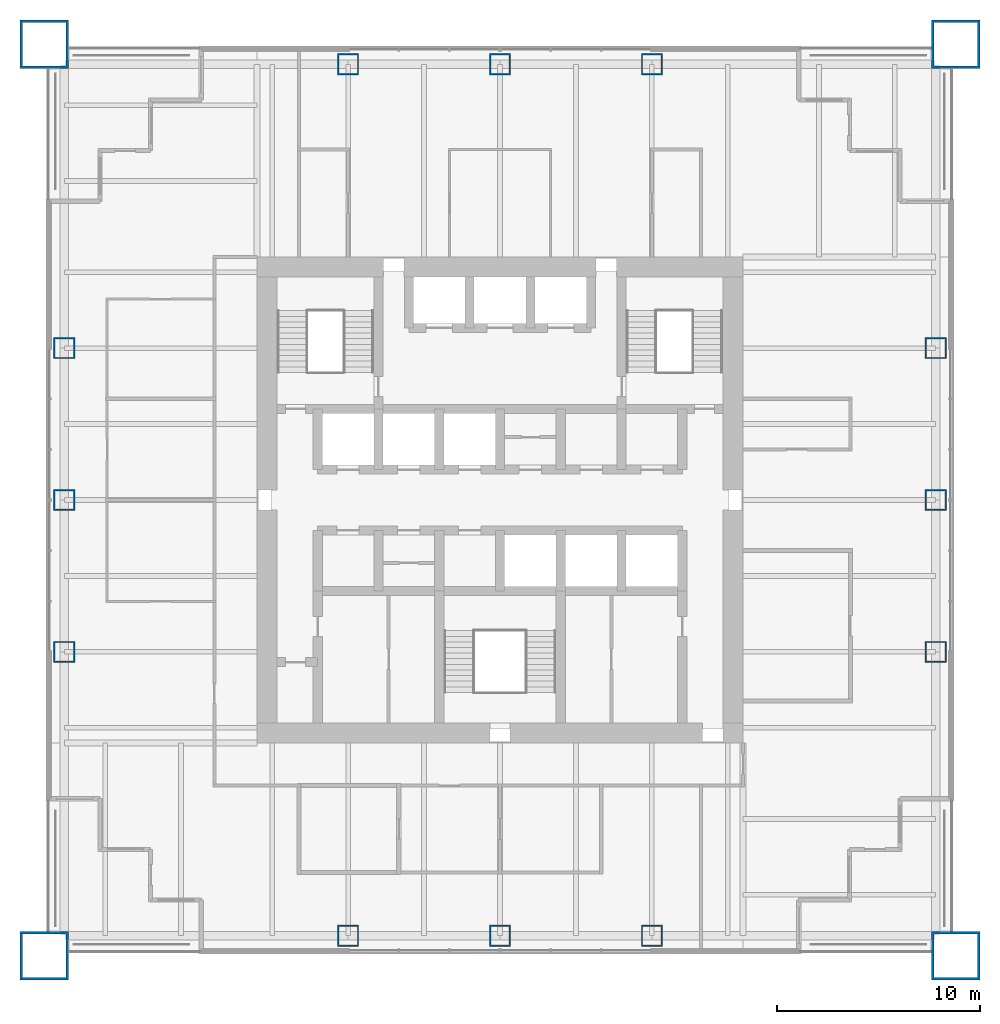
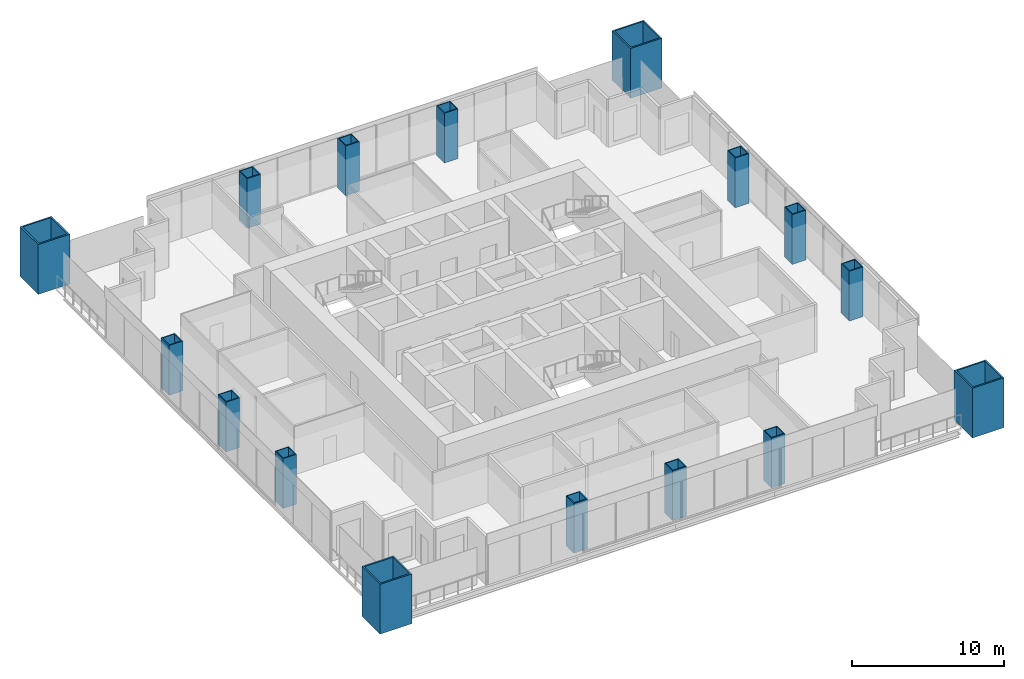
# One storey, part 1 of 13: 16 columns.
"""IFC4 building model written with IfcOpenShell, lengths in metres."""

from ifc_helpers import new_model, si_unit, direction, frame, origin, origin_2d, place, context, subcontext, project, spatial, hollow_rectangle, extrude, material, material_profile, profile_set, type_object, element, save


model = new_model("IFC4")

# Units and contexts
model_context = context("Model", 3, precision=1e-05, world=origin(), true_north=direction((0.0, 1.0)))
body_context = subcontext(model_context, "Body", "Model", "MODEL_VIEW")
ifc_project = project(units=[si_unit("LENGTHUNIT", "METRE"), si_unit("AREAUNIT", "SQUARE_METRE"), si_unit("VOLUMEUNIT", "CUBIC_METRE"), si_unit("PLANEANGLEUNIT", "RADIAN"), si_unit("MASSUNIT", "GRAM", prefix="KILO")], contexts=[model_context])

# Site, building, storey
site_placement = place(None, origin())
site = spatial("IfcSite", under=ifc_project, at=site_placement, CompositionType="ELEMENT")
building_placement = place(site_placement, origin())
building = spatial("IfcBuilding", under=site, at=building_placement, Name="Tarangal Relay Tower", CompositionType="ELEMENT")
storey_placement = place(building_placement, frame((0.0, 0.0, 241.89990234375)))
storey = spatial("IfcBuildingStorey", under=building, at=storey_placement, Name="L52", CompositionType="ELEMENT", Elevation=241.89990234375)

# Columns
ifc_material_1 = material(Name="Steel ASTM A572 Grade 42", Category="steel")
ifc_material_profile_1 = material_profile(ifc_material_1, hollow_rectangle(XDim=2.39990234375, YDim=2.39990234375, WallThickness=0.1201171875, at=origin_2d()), Name="BOX2400X2400X120")
ifc_profile_set_1 = profile_set([ifc_material_profile_1], Name="Steel ASTM A572 Grade 42")
column_type_1 = type_object("IfcColumnType", Name="Mega column BOX2400X2400X120", PredefinedType="COLUMN", material=ifc_profile_set_1)
for number, where, z_axis, x_axis, name in (
    (1, (22.5, 22.5, 0.0), (0.0, 0.0, 1.0), (1.0, 0.0, 0.0), "Mega column MC3 NE L52"),
    (2, (22.5, -22.5, 0.0), (0.0, 0.0, 1.0), (1.0, 0.0, 0.0), "Mega column MC3 SE L52"),
    (3, (-22.5, -22.5, 0.0), (0.0, 0.0, 1.0), (1.0, 0.0, 0.0), "Mega column MC3 SW L52"),
    (4, (-22.5, 22.5, 0.0), (0.0, 0.0, 1.0), (1.0, 0.0, 0.0), "Mega column MC3 NW L52"),
):
    element("IfcColumn", number, at=place(storey_placement, frame(where, z_axis=z_axis, x_axis=x_axis)), inside=storey, type_object=column_type_1, Name=name, PredefinedType="COLUMN", context=body_context, shape_type="SweptSolid", body=[
        extrude(hollow_rectangle(XDim=2.39990234375, YDim=2.39990234375, WallThickness=0.1201171875, at=origin_2d()), origin(), (0.0, 0.0, 1.0), 4.0),
    ])
ifc_material_2 = material(Name="Steel ASTM A572 Grade 50", Category="steel")
ifc_material_profile_2 = material_profile(ifc_material_2, hollow_rectangle(XDim=1.050048828125, YDim=1.050048828125, WallThickness=0.070068359375, at=origin_2d()), Name="BOX1050X1050X70")
ifc_profile_set_2 = profile_set([ifc_material_profile_2], Name="Steel ASTM A572 Grade 50")
column_type_2 = type_object("IfcColumnType", Name="Perimeter column BOX1050X1050X70", PredefinedType="COLUMN", material=ifc_profile_set_2)
for number, where, z_axis, x_axis, name in (
    (5, (-7.5, 21.514892578125, 0.0), (0.0, 0.0, 1.0), (1.0, 0.0, 0.0), "Perimeter column PC4 N L52"),
    (6, (0.0, 21.514892578125, 0.0), (0.0, 0.0, 1.0), (1.0, 0.0, 0.0), "Perimeter column PC4 N L52"),
    (7, (7.5, 21.514892578125, 0.0), (0.0, 0.0, 1.0), (1.0, 0.0, 0.0), "Perimeter column PC4 N L52"),
    (8, (21.514892578125, 7.5, 0.0), (0.0, 0.0, 1.0), (1.0, 0.0, 0.0), "Perimeter column PC4 E L52"),
    (9, (21.514892578125, 0.0, 0.0), (0.0, 0.0, 1.0), (1.0, 0.0, 0.0), "Perimeter column PC4 E L52"),
    (10, (21.514892578125, -7.5, 0.0), (0.0, 0.0, 1.0), (1.0, 0.0, 0.0), "Perimeter column PC4 E L52"),
    (11, (7.5, -21.514892578125, 0.0), (0.0, 0.0, 1.0), (1.0, 0.0, 0.0), "Perimeter column PC4 S L52"),
    (12, (0.0, -21.514892578125, 0.0), (0.0, 0.0, 1.0), (1.0, 0.0, 0.0), "Perimeter column PC4 S L52"),
    (13, (-7.5, -21.514892578125, 0.0), (0.0, 0.0, 1.0), (1.0, 0.0, 0.0), "Perimeter column PC4 S L52"),
    (14, (-21.514892578125, -7.5, 0.0), (0.0, 0.0, 1.0), (1.0, 0.0, 0.0), "Perimeter column PC4 W L52"),
    (15, (-21.514892578125, 0.0, 0.0), (0.0, 0.0, 1.0), (1.0, 0.0, 0.0), "Perimeter column PC4 W L52"),
    (16, (-21.514892578125, 7.5, 0.0), (0.0, 0.0, 1.0), (1.0, 0.0, 0.0), "Perimeter column PC4 W L52"),
):
    element("IfcColumn", number, at=place(storey_placement, frame(where, z_axis=z_axis, x_axis=x_axis)), inside=storey, type_object=column_type_2, Name=name, PredefinedType="COLUMN", context=body_context, shape_type="SweptSolid", body=[
        extrude(hollow_rectangle(XDim=1.050048828125, YDim=1.050048828125, WallThickness=0.070068359375, at=origin_2d()), origin(), (0.0, 0.0, 1.0), 4.0),
    ])

save(model, "model.ifc")
